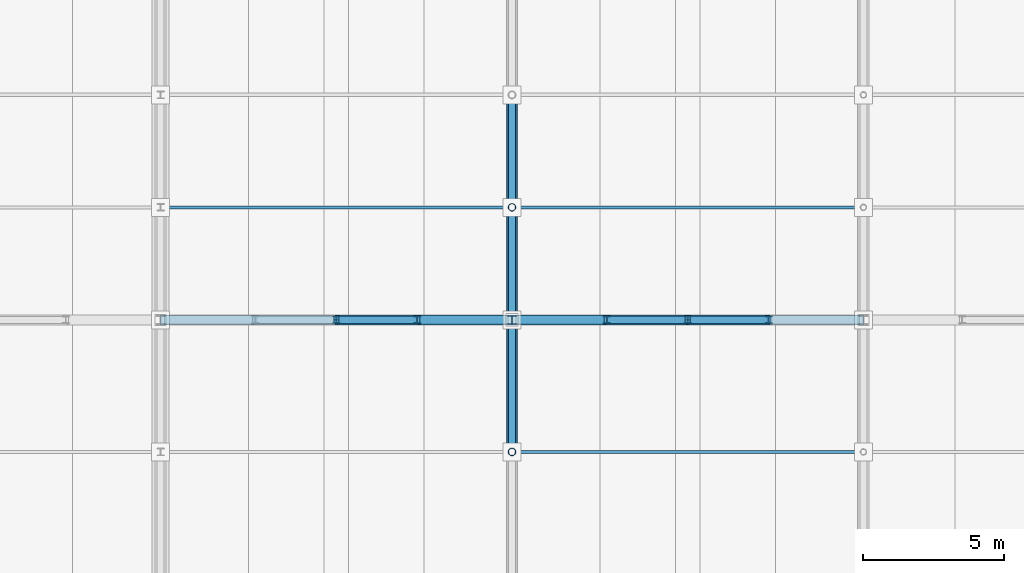
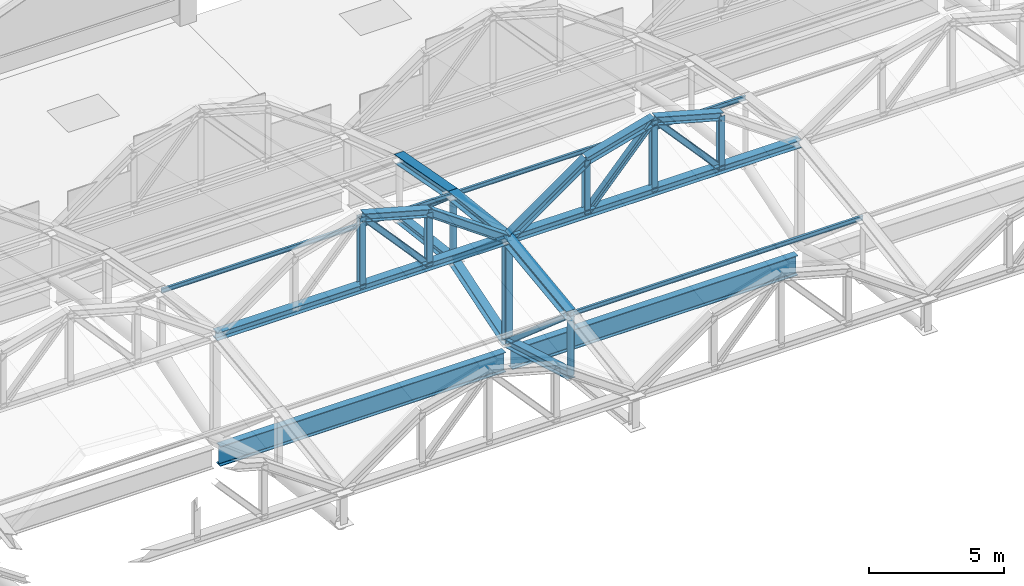
# One storey, part 47 of 117: 30 members, 2 beams.
"""IFC4 building model written with IfcOpenShell, lengths in metres."""

from ifc_helpers import new_model, si_unit, direction, frame, origin, origin_2d, place, context, subcontext, project, spatial, hollow_circle, i_section, extrude, material, material_profile, profile_set, type_object, element, save


model = new_model("IFC4")

# Units and contexts
model_context = context("Model", 3, precision=1e-05, world=origin(), true_north=direction((0.0, 1.0)))
body_context = subcontext(model_context, "Body", "Model", "MODEL_VIEW")
ifc_project = project(units=[si_unit("LENGTHUNIT", "METRE"), si_unit("AREAUNIT", "SQUARE_METRE"), si_unit("VOLUMEUNIT", "CUBIC_METRE"), si_unit("PLANEANGLEUNIT", "RADIAN"), si_unit("MASSUNIT", "GRAM", prefix="KILO")], contexts=[model_context])

# Site, building, storey
site_placement = place(None, origin())
site = spatial("IfcSite", under=ifc_project, at=site_placement, CompositionType="ELEMENT")
building_placement = place(site_placement, origin())
building = spatial("IfcBuilding", under=site, at=building_placement, Name="Kazenohara Klinker Stadium", CompositionType="ELEMENT")
storey_placement = place(building_placement, frame((0.0, 0.0, 31.199951171875)))
storey = spatial("IfcBuildingStorey", under=building, at=storey_placement, Name="RF", CompositionType="ELEMENT", Elevation=31.199951171875)

# Members
ifc_material = material(Name="Steel S355", Category="steel")
ifc_material_profile_1 = material_profile(ifc_material, i_section(OverallWidth=0.25, OverallDepth=0.25, WebThickness=0.009033203125, FlangeThickness=0.013916015625, FilletRadius=0.012939453125, at=origin_2d()), Name="H-250x250x9x14")
ifc_profile_set_1 = profile_set([ifc_material_profile_1], Name="Steel S355")
member_type_1 = type_object("IfcMemberType", Name="MEM-BRC02", PredefinedType="BRACE", material=ifc_profile_set_1)
member_1_placement = place(storey_placement, frame((86.5, 140.0, 0.75), z_axis=(0.0, -0.757253091298, 0.653121547432), x_axis=(1.0, 0.0, 0.0)))
element("IfcMember", 1, at=member_1_placement, inside=storey, type_object=member_type_1, Name="ROOF TRUSS RT-N03 web diagonal 2", PredefinedType="BRACE", context=body_context, shape_type="SweptSolid", body=[
    extrude(i_section(OverallWidth=0.25, OverallDepth=0.25, WebThickness=0.009033203125, FlangeThickness=0.013916015625, FilletRadius=0.012939453125, at=origin_2d()), origin(), (0.0, 0.0, 1.0), 5.2822265625),
])
member_2_placement = place(storey_placement, frame((86.5, 136.0, 1.25), z_axis=(0.0, -0.761925548551, 0.647664618815), x_axis=(1.0, 0.0, 0.0)))
element("IfcMember", 2, at=member_2_placement, inside=storey, type_object=member_type_1, Name="ROOF TRUSS RT-N03 web diagonal 3", PredefinedType="BRACE", context=body_context, shape_type="SweptSolid", body=[
    extrude(i_section(OverallWidth=0.25, OverallDepth=0.25, WebThickness=0.009033203125, FlangeThickness=0.013916015625, FilletRadius=0.012939453125, at=origin_2d()), origin(), (0.0, 0.0, 1.0), 5.249755859375),
])
member_3_placement = place(storey_placement, frame((86.5, 132.0, -0.02001953125), z_axis=(0.0, -0.755945561544, 0.65463448426), x_axis=(1.0, 0.0, 0.0)))
element("IfcMember", 3, at=member_3_placement, inside=storey, type_object=member_type_1, Name="ROOF TRUSS RT-N03 web diagonal 4", PredefinedType="BRACE", context=body_context, shape_type="SweptSolid", body=[
    extrude(i_section(OverallWidth=0.25, OverallDepth=0.25, WebThickness=0.009033203125, FlangeThickness=0.013916015625, FilletRadius=0.012939453125, at=origin_2d()), origin(), (0.0, 0.0, 1.0), 6.21728515625),
])
ifc_material_profile_2 = material_profile(ifc_material, i_section(OverallWidth=0.39990234375, OverallDepth=0.39990234375, WebThickness=0.012939453125, FlangeThickness=0.02099609375, FilletRadius=0.02197265625, at=origin_2d()), Name="H-400x400x13x21")
ifc_profile_set_2 = profile_set([ifc_material_profile_2], Name="Steel S355")
member_type_2 = type_object("IfcMemberType", Name="MEM-CHD01", PredefinedType="CHORD", material=ifc_profile_set_2)
member_4_placement = place(storey_placement, frame((86.5, 140.0, 3.449951171875), z_axis=(0.0, -0.982872186934, 0.18428853505), x_axis=(1.0, 0.0, 0.0)))
element("IfcMember", 4, at=member_4_placement, inside=storey, type_object=member_type_2, Name="ROOF TRUSS RT-N03 top arched chord 2", PredefinedType="CHORD", context=body_context, shape_type="SweptSolid", body=[
    extrude(i_section(OverallWidth=0.39990234375, OverallDepth=0.39990234375, WebThickness=0.012939453125, FlangeThickness=0.02099609375, FilletRadius=0.02197265625, at=origin_2d()), origin(), (0.0, 0.0, 1.0), 4.06982421875),
])
member_5_placement = place(storey_placement, frame((86.5, 136.0, 4.199951171875), z_axis=(0.0, -0.993725924527, 0.111842688283), x_axis=(1.0, 0.0, 0.0)))
element("IfcMember", 5, at=member_5_placement, inside=storey, type_object=member_type_2, Name="ROOF TRUSS RT-N03 top arched chord 3", PredefinedType="CHORD", context=body_context, shape_type="SweptSolid", body=[
    extrude(i_section(OverallWidth=0.39990234375, OverallDepth=0.39990234375, WebThickness=0.012939453125, FlangeThickness=0.02099609375, FilletRadius=0.02197265625, at=origin_2d()), origin(), (0.0, 0.0, 1.0), 4.025146484375),
])
member_6_placement = place(storey_placement, frame((86.5, 132.0, 4.650146484375), z_axis=(0.0, -0.99194702514, -0.126653461524), x_axis=(1.0, 0.0, 0.0)))
element("IfcMember", 6, at=member_6_placement, inside=storey, type_object=member_type_2, Name="ROOF TRUSS RT-N03 top arched chord 4", PredefinedType="CHORD", context=body_context, shape_type="SweptSolid", body=[
    extrude(i_section(OverallWidth=0.39990234375, OverallDepth=0.39990234375, WebThickness=0.012939453125, FlangeThickness=0.02099609375, FilletRadius=0.02197265625, at=origin_2d()), origin(), (0.0, 0.0, 1.0), 4.738037109375),
])
ifc_material_profile_3 = material_profile(ifc_material, i_section(OverallWidth=0.35009765625, OverallDepth=0.35009765625, WebThickness=0.011962890625, FlangeThickness=0.01904296875, FilletRadius=0.012939453125, at=origin_2d()), Name="H-350x350x12x19")
ifc_profile_set_3 = profile_set([ifc_material_profile_3], Name="Steel S355")
member_type_3 = type_object("IfcMemberType", Name="MEM-CHD02", PredefinedType="CHORD", material=ifc_profile_set_3)
member_7_placement = place(storey_placement, frame((86.5, 140.0, 0.75), z_axis=(0.0, -0.992277876714, 0.124034734589), x_axis=(1.0, 0.0, 0.0)))
element("IfcMember", 7, at=member_7_placement, inside=storey, type_object=member_type_3, Name="ROOF TRUSS RT-N03 bottom arched chord 2", PredefinedType="CHORD", context=body_context, shape_type="SweptSolid", body=[
    extrude(i_section(OverallWidth=0.35009765625, OverallDepth=0.35009765625, WebThickness=0.011962890625, FlangeThickness=0.01904296875, FilletRadius=0.012939453125, at=origin_2d()), origin(), (0.0, 0.0, 1.0), 4.03125),
])
member_8_placement = place(storey_placement, frame((86.5, 136.0, 1.25), z_axis=(0.0, -0.953112016541, -0.302617719119), x_axis=(1.0, 0.0, 0.0)))
element("IfcMember", 8, at=member_8_placement, inside=storey, type_object=member_type_3, Name="ROOF TRUSS RT-N03 bottom arched chord 3", PredefinedType="CHORD", context=body_context, shape_type="SweptSolid", body=[
    extrude(i_section(OverallWidth=0.35009765625, OverallDepth=0.35009765625, WebThickness=0.011962890625, FlangeThickness=0.01904296875, FilletRadius=0.012939453125, at=origin_2d()), origin(), (0.0, 0.0, 1.0), 4.19677734375),
])
member_9_placement = place(storey_placement, frame((86.5, 132.0, -0.02001953125), z_axis=(0.0, -0.960038530088, 0.279867863012), x_axis=(1.0, 0.0, 0.0)))
element("IfcMember", 9, at=member_9_placement, inside=storey, type_object=member_type_3, Name="ROOF TRUSS RT-N03 bottom arched chord 4", PredefinedType="CHORD", context=body_context, shape_type="SweptSolid", body=[
    extrude(i_section(OverallWidth=0.35009765625, OverallDepth=0.35009765625, WebThickness=0.011962890625, FlangeThickness=0.01904296875, FilletRadius=0.012939453125, at=origin_2d()), origin(), (0.0, 0.0, 1.0), 4.8955078125),
])
member_10_placement = place(storey_placement, frame((74.0, 132.0, 4.650146484375), z_axis=(1.0, 0.0, 0.0), x_axis=(0.0, 1.0, 0.0)))
element("IfcMember", 10, at=member_10_placement, inside=storey, type_object=member_type_3, Name="Barrel arch tie chord TC02 N-02-N3", PredefinedType="CHORD", context=body_context, shape_type="SweptSolid", body=[
    extrude(i_section(OverallWidth=0.35009765625, OverallDepth=0.35009765625, WebThickness=0.011962890625, FlangeThickness=0.01904296875, FilletRadius=0.012939453125, at=origin_2d()), origin(), (0.0, 0.0, 1.0), 12.5),
])
member_11_placement = place(storey_placement, frame((80.25, 132.0, 7.85009765625), z_axis=(0.963393567269, 0.0, -0.268091093745), x_axis=(0.0, 1.0, 0.0)))
element("IfcMember", 11, at=member_11_placement, inside=storey, type_object=member_type_3, Name="Barrel arch top rib TC02 N-02-N3-S3", PredefinedType="CHORD", context=body_context, shape_type="SweptSolid", body=[
    extrude(i_section(OverallWidth=0.35009765625, OverallDepth=0.35009765625, WebThickness=0.011962890625, FlangeThickness=0.01904296875, FilletRadius=0.012939453125, at=origin_2d()), origin(), (0.0, 0.0, 1.0), 2.984130859375),
])
member_12_placement = place(storey_placement, frame((83.125, 132.0, 7.050048828125), z_axis=(0.814966461491, 0.0, -0.579508124744), x_axis=(0.0, 1.0, 0.0)))
element("IfcMember", 12, at=member_12_placement, inside=storey, type_object=member_type_3, Name="Barrel arch top rib TC02 N-02-N3-S4", PredefinedType="CHORD", context=body_context, shape_type="SweptSolid", body=[
    extrude(i_section(OverallWidth=0.35009765625, OverallDepth=0.35009765625, WebThickness=0.011962890625, FlangeThickness=0.01904296875, FilletRadius=0.012939453125, at=origin_2d()), origin(), (0.0, 0.0, 1.0), 4.141357421875),
])
member_13_placement = place(storey_placement, frame((86.5, 132.0, 4.650146484375), z_axis=(1.0, 0.0, 0.0), x_axis=(0.0, 1.0, 0.0)))
element("IfcMember", 13, at=member_13_placement, inside=storey, type_object=member_type_3, Name="Barrel arch tie chord TC02 N-03-N3", PredefinedType="CHORD", context=body_context, shape_type="SweptSolid", body=[
    extrude(i_section(OverallWidth=0.35009765625, OverallDepth=0.35009765625, WebThickness=0.011962890625, FlangeThickness=0.01904296875, FilletRadius=0.012939453125, at=origin_2d()), origin(), (0.0, 0.0, 1.0), 12.5),
])
member_14_placement = place(storey_placement, frame((86.5, 132.0, 4.650146484375), z_axis=(0.814966461491, 0.0, 0.579508124744), x_axis=(0.0, 1.0, 0.0)))
element("IfcMember", 14, at=member_14_placement, inside=storey, type_object=member_type_3, Name="Barrel arch top rib TC02 N-03-N3-S1", PredefinedType="CHORD", context=body_context, shape_type="SweptSolid", body=[
    extrude(i_section(OverallWidth=0.35009765625, OverallDepth=0.35009765625, WebThickness=0.011962890625, FlangeThickness=0.01904296875, FilletRadius=0.012939453125, at=origin_2d()), origin(), (0.0, 0.0, 1.0), 4.141357421875),
])
for number, where, z_axis, x_axis, name in (
    (15, (89.875, 132.0, 7.050048828125), (0.963393567269, 0.0, 0.268091093745), (0.0, 1.0, 0.0), "Barrel arch top rib TC02 N-03-N3-S2"),
    (16, (92.75, 132.0, 7.85009765625), (0.963393567269, 0.0, -0.268091093745), (0.0, 1.0, 0.0), "Barrel arch top rib TC02 N-03-N3-S3"),
):
    element("IfcMember", number, at=place(storey_placement, frame(where, z_axis=z_axis, x_axis=x_axis)), inside=storey, type_object=member_type_3, Name=name, PredefinedType="CHORD", context=body_context, shape_type="SweptSolid", body=[
        extrude(i_section(OverallWidth=0.35009765625, OverallDepth=0.35009765625, WebThickness=0.011962890625, FlangeThickness=0.01904296875, FilletRadius=0.012939453125, at=origin_2d()), origin(), (0.0, 0.0, 1.0), 2.984130859375),
    ])
ifc_material_profile_4 = material_profile(ifc_material, i_section(OverallWidth=0.10009765625, OverallDepth=0.199951171875, WebThickness=0.005615234375, FlangeThickness=0.008056640625, FilletRadius=0.008056640625, at=origin_2d()), Name="H-200x100x5.5x8")
ifc_profile_set_4 = profile_set([ifc_material_profile_4], Name="Steel S355")
member_type_4 = type_object("IfcMemberType", Name="MEM-PUR02", PredefinedType="PURLIN", material=ifc_profile_set_4)
for number, where, z_axis, x_axis, name in (
    (17, (74.0, 136.0, 4.219970703125), (1.0, 0.0, 0.0), (0.0, 1.0, 0.0), "Canopy valley tie purlin PR02 N-02-N2"),
    (18, (86.5, 136.0, 4.219970703125), (1.0, 0.0, 0.0), (0.0, 1.0, 0.0), "Canopy valley tie purlin PR02 N-03-N2"),
    (19, (86.5, 127.300048828125, 4.070068359375), (1.0, 0.0, 0.0), (0.0, 1.0, 0.0), "Canopy valley tie purlin PR02 N-03-N4"),
):
    element("IfcMember", number, at=place(storey_placement, frame(where, z_axis=z_axis, x_axis=x_axis)), inside=storey, type_object=member_type_4, Name=name, PredefinedType="PURLIN", context=body_context, shape_type="SweptSolid", body=[
        extrude(i_section(OverallWidth=0.10009765625, OverallDepth=0.199951171875, WebThickness=0.005615234375, FlangeThickness=0.008056640625, FilletRadius=0.008056640625, at=origin_2d()), origin(), (0.0, 0.0, 1.0), 12.5),
    ])
ifc_material_profile_5 = material_profile(ifc_material, i_section(OverallWidth=0.300048828125, OverallDepth=0.300048828125, WebThickness=0.010009765625, FlangeThickness=0.014892578125, FilletRadius=0.012939453125, at=origin_2d()), Name="H-300x300x10x15")
ifc_profile_set_5 = profile_set([ifc_material_profile_5], Name="Steel S355")
member_type_5 = type_object("IfcMemberType", Name="MEM-STR01", PredefinedType="STRUT", material=ifc_profile_set_5)
member_15_placement = place(storey_placement, frame((86.5, 132.0, -0.02001953125), z_axis=(0.0, 0.0, 1.0), x_axis=(1.0, 0.0, 0.0)))
element("IfcMember", 20, at=member_15_placement, inside=storey, type_object=member_type_5, Name="ROOF TRUSS RT-N03 web post 4", PredefinedType="STRUT", context=body_context, shape_type="SweptSolid", body=[
    extrude(i_section(OverallWidth=0.300048828125, OverallDepth=0.300048828125, WebThickness=0.010009765625, FlangeThickness=0.014892578125, FilletRadius=0.012939453125, at=origin_2d()), origin(), (0.0, 0.0, 1.0), 4.670166015625),
])
ifc_material_profile_6 = material_profile(ifc_material, i_section(OverallWidth=0.25, OverallDepth=0.25, WebThickness=0.009033203125, FlangeThickness=0.013916015625, FilletRadius=0.012939453125, at=origin_2d()), Name="H-250x250x9x14")
ifc_profile_set_6 = profile_set([ifc_material_profile_6], Name="Steel S355")
member_type_6 = type_object("IfcMemberType", Name="MEM-STR02", PredefinedType="STRUT", material=ifc_profile_set_6)
member_16_placement = place(storey_placement, frame((80.25, 132.0, 4.650146484375), z_axis=(0.0, 0.0, 1.0), x_axis=(1.0, 0.0, 0.0)))
element("IfcMember", 21, at=member_16_placement, inside=storey, type_object=member_type_6, Name="Barrel arch web post TS02 N-02-N3-P2", PredefinedType="STRUT", context=body_context, shape_type="SweptSolid", body=[
    extrude(i_section(OverallWidth=0.25, OverallDepth=0.25, WebThickness=0.009033203125, FlangeThickness=0.013916015625, FilletRadius=0.012939453125, at=origin_2d()), origin(), (0.0, 0.0, 1.0), 3.199951171875),
])
member_17_placement = place(storey_placement, frame((83.125, 132.0, 4.650146484375), z_axis=(0.0, 0.0, 1.0), x_axis=(1.0, 0.0, 0.0)))
element("IfcMember", 22, at=member_17_placement, inside=storey, type_object=member_type_6, Name="Barrel arch web post TS02 N-02-N3-P3", PredefinedType="STRUT", context=body_context, shape_type="SweptSolid", body=[
    extrude(i_section(OverallWidth=0.25, OverallDepth=0.25, WebThickness=0.009033203125, FlangeThickness=0.013916015625, FilletRadius=0.012939453125, at=origin_2d()), origin(), (0.0, 0.0, 1.0), 2.39990234375),
])
member_18_placement = place(storey_placement, frame((83.125, 132.0, 4.650146484375), z_axis=(-0.668327970369, 0.0, 0.74386673808), x_axis=(0.0, -1.0, 0.0)))
element("IfcMember", 23, at=member_18_placement, inside=storey, type_object=member_type_6, Name="Barrel arch web diagonal TS02 N-02-N3-D2", PredefinedType="STRUT", context=body_context, shape_type="SweptSolid", body=[
    extrude(i_section(OverallWidth=0.25, OverallDepth=0.25, WebThickness=0.009033203125, FlangeThickness=0.013916015625, FilletRadius=0.012939453125, at=origin_2d()), origin(), (0.0, 0.0, 1.0), 4.3017578125),
])
member_19_placement = place(storey_placement, frame((89.875, 132.0, 4.650146484375), z_axis=(0.0, 0.0, 1.0), x_axis=(1.0, 0.0, 0.0)))
element("IfcMember", 24, at=member_19_placement, inside=storey, type_object=member_type_6, Name="Barrel arch web post TS02 N-03-N3-P1", PredefinedType="STRUT", context=body_context, shape_type="SweptSolid", body=[
    extrude(i_section(OverallWidth=0.25, OverallDepth=0.25, WebThickness=0.009033203125, FlangeThickness=0.013916015625, FilletRadius=0.012939453125, at=origin_2d()), origin(), (0.0, 0.0, 1.0), 2.39990234375),
])
member_20_placement = place(storey_placement, frame((92.75, 132.0, 4.650146484375), z_axis=(0.0, 0.0, 1.0), x_axis=(1.0, 0.0, 0.0)))
element("IfcMember", 25, at=member_20_placement, inside=storey, type_object=member_type_6, Name="Barrel arch web post TS02 N-03-N3-P2", PredefinedType="STRUT", context=body_context, shape_type="SweptSolid", body=[
    extrude(i_section(OverallWidth=0.25, OverallDepth=0.25, WebThickness=0.009033203125, FlangeThickness=0.013916015625, FilletRadius=0.012939453125, at=origin_2d()), origin(), (0.0, 0.0, 1.0), 3.199951171875),
])
member_21_placement = place(storey_placement, frame((95.625, 132.0, 4.650146484375), z_axis=(0.0, 0.0, 1.0), x_axis=(1.0, 0.0, 0.0)))
element("IfcMember", 26, at=member_21_placement, inside=storey, type_object=member_type_6, Name="Barrel arch web post TS02 N-03-N3-P3", PredefinedType="STRUT", context=body_context, shape_type="SweptSolid", body=[
    extrude(i_section(OverallWidth=0.25, OverallDepth=0.25, WebThickness=0.009033203125, FlangeThickness=0.013916015625, FilletRadius=0.012939453125, at=origin_2d()), origin(), (0.0, 0.0, 1.0), 2.39990234375),
])
for number, where, z_axis, x_axis, name in (
    (27, (89.875, 132.0, 4.650146484375), (0.668327970369, 0.0, 0.74386673808), (0.0, 1.0, 0.0), "Barrel arch web diagonal TS02 N-03-N3-D1"),
    (28, (95.625, 132.0, 4.650146484375), (-0.668327970369, 0.0, 0.74386673808), (0.0, -1.0, 0.0), "Barrel arch web diagonal TS02 N-03-N3-D2"),
):
    element("IfcMember", number, at=place(storey_placement, frame(where, z_axis=z_axis, x_axis=x_axis)), inside=storey, type_object=member_type_6, Name=name, PredefinedType="STRUT", context=body_context, shape_type="SweptSolid", body=[
        extrude(i_section(OverallWidth=0.25, OverallDepth=0.25, WebThickness=0.009033203125, FlangeThickness=0.013916015625, FilletRadius=0.012939453125, at=origin_2d()), origin(), (0.0, 0.0, 1.0), 4.3017578125),
    ])
ifc_material_profile_7 = material_profile(ifc_material, hollow_circle(Radius=0.1337890625, WallThickness=0.009033203125, at=origin_2d()), Name="CHS-267.4x9")
ifc_profile_set_7 = profile_set([ifc_material_profile_7], Name="Steel S355")
member_type_7 = type_object("IfcMemberType", Name="MEM-STR03", PredefinedType="STRUT", material=ifc_profile_set_7)
member_22_placement = place(storey_placement, frame((86.5, 136.0, 1.25), z_axis=(0.0, 0.0, 1.0), x_axis=(1.0, 0.0, 0.0)))
element("IfcMember", 29, at=member_22_placement, inside=storey, type_object=member_type_7, Name="ROOF TRUSS RT-N03 web post 3", PredefinedType="STRUT", context=body_context, shape_type="SweptSolid", body=[
    extrude(hollow_circle(Radius=0.1337890625, WallThickness=0.009033203125, at=origin_2d()), origin(), (0.0, 0.0, 1.0), 2.949951171875),
])
member_23_placement = place(storey_placement, frame((86.5, 127.300048828125, 1.35009765625), z_axis=(0.0, 0.0, 1.0), x_axis=(1.0, 0.0, 0.0)))
element("IfcMember", 30, at=member_23_placement, inside=storey, type_object=member_type_7, Name="ROOF TRUSS RT-N03 web post 5", PredefinedType="STRUT", context=body_context, shape_type="SweptSolid", body=[
    extrude(hollow_circle(Radius=0.1337890625, WallThickness=0.009033203125, at=origin_2d()), origin(), (0.0, 0.0, 1.0), 2.699951171875),
])

# Beams
ifc_material_profile_8 = material_profile(ifc_material, i_section(OverallWidth=0.300048828125, OverallDepth=0.89990234375, WebThickness=0.01611328125, FlangeThickness=0.028076171875, FilletRadius=0.02197265625, at=origin_2d()), Name="H-900x300x16x28")
ifc_profile_set_8 = profile_set([ifc_material_profile_8], Name="Steel S355")
beam_type = type_object("IfcBeamType", Name="RING-RB01", PredefinedType="USERDEFINED", material=ifc_profile_set_8)
for number, where, z_axis, x_axis, name in (
    (31, (74.139892578125, 132.0, -0.820068359375), (1.0, 0.0, 0.0), (0.0, 1.0, 0.0), "Roof ring beam RB01 N-IN 7-8"),
    (32, (86.639892578125, 132.0, -0.820068359375), (1.0, 0.0, 0.0), (0.0, 1.0, 0.0), "Roof ring beam RB01 N-IN 8-9"),
):
    element("IfcBeam", number, at=place(storey_placement, frame(where, z_axis=z_axis, x_axis=x_axis)), inside=storey, type_object=beam_type, Name=name, ObjectType="RING BEAM", PredefinedType="USERDEFINED", context=body_context, shape_type="SweptSolid", body=[
        extrude(i_section(OverallWidth=0.300048828125, OverallDepth=0.89990234375, WebThickness=0.01611328125, FlangeThickness=0.028076171875, FilletRadius=0.02197265625, at=origin_2d()), origin(), (0.0, 0.0, 1.0), 12.22021484375),
    ])

save(model, "model.ifc")
